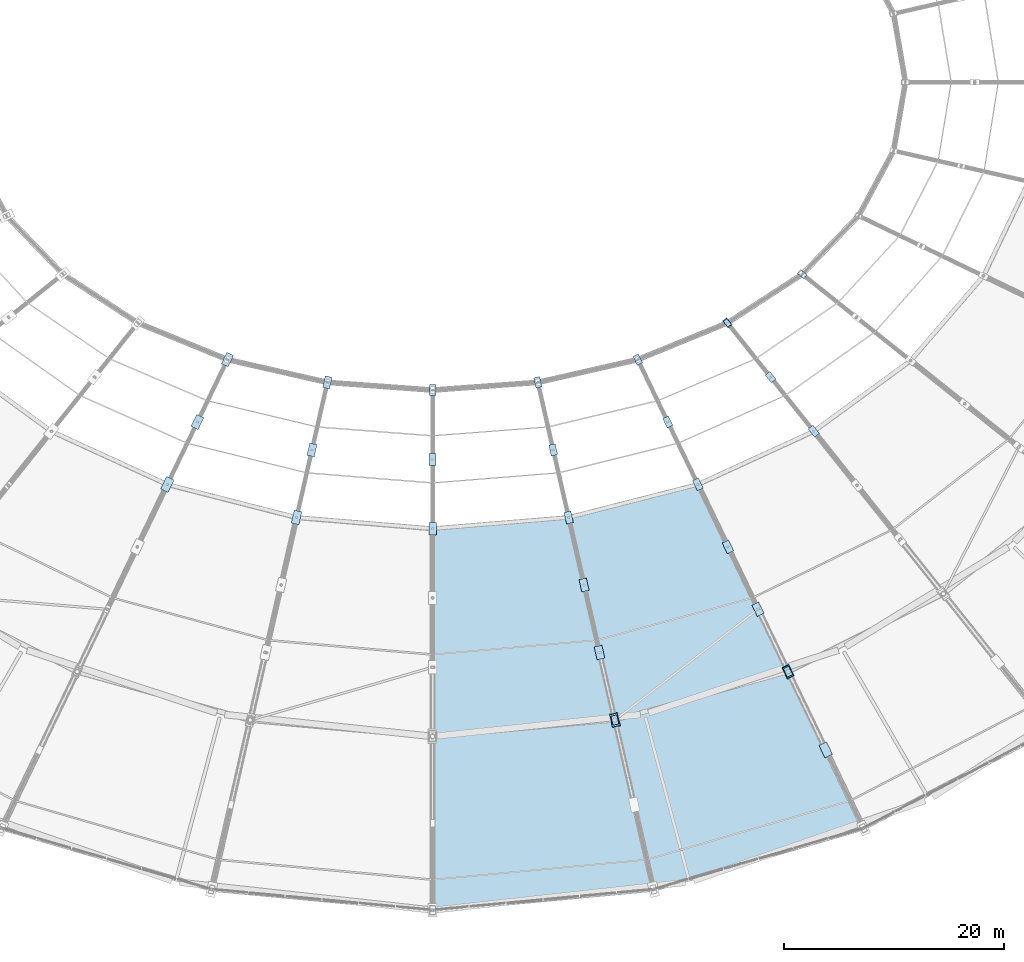
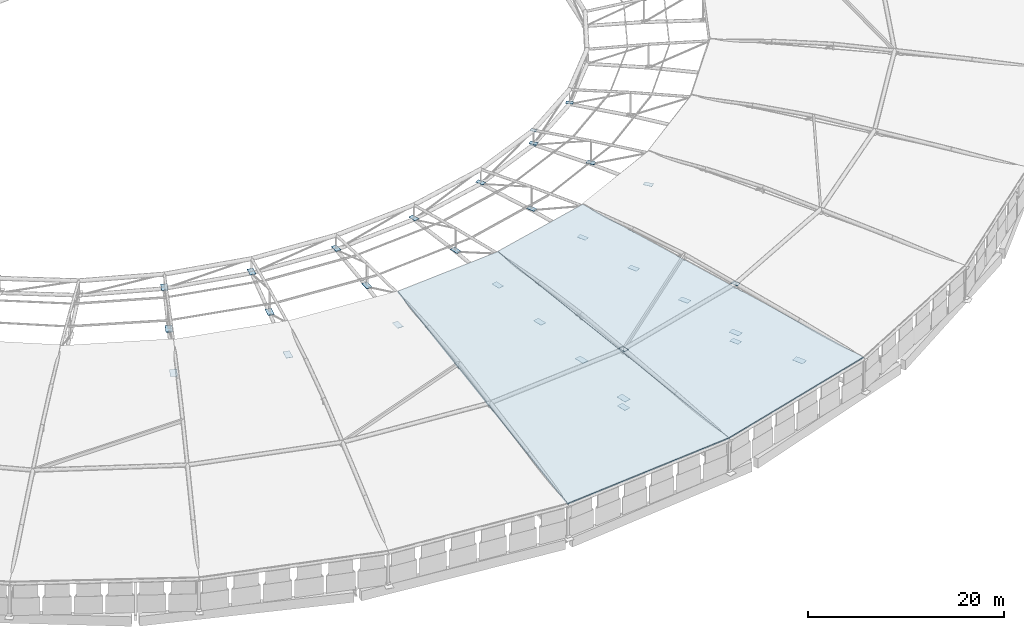
# One storey, part 91 of 108: 32 plates, 2 slabs.
"""IFC4 building model written with IfcOpenShell, lengths in metres."""

from ifc_helpers import new_model, si_unit, direction, frame, origin, origin_2d, place, context, subcontext, project, spatial, polyline, rectangle, outline, extrude, material, layer, layer_set, type_object, element, save


model = new_model("IFC4")

# Units and contexts
model_context = context("Model", 3, precision=1e-05, world=origin(), true_north=direction((0.0, 1.0)))
body_context = subcontext(model_context, "Body", "Model", "MODEL_VIEW")
ifc_project = project(units=[si_unit("LENGTHUNIT", "METRE"), si_unit("AREAUNIT", "SQUARE_METRE"), si_unit("VOLUMEUNIT", "CUBIC_METRE"), si_unit("PLANEANGLEUNIT", "RADIAN"), si_unit("MASSUNIT", "GRAM", prefix="KILO")], contexts=[model_context])

# Site, building, storey
site_placement = place(None, origin())
site = spatial("IfcSite", under=ifc_project, at=site_placement, CompositionType="ELEMENT")
building_placement = place(site_placement, origin())
building = spatial("IfcBuilding", under=site, at=building_placement, Name="Zevraka Park Crest Stadium", CompositionType="ELEMENT")
storey_placement = place(building_placement, frame((0.0, 0.0, 29.39990234375)))
storey = spatial("IfcBuildingStorey", under=building, at=storey_placement, Name="RF", CompositionType="ELEMENT", Elevation=29.39990234375)

# Plates
ifc_material_1 = material(Name="Steel S355", Category="steel")
ifc_layer_1 = layer(ifc_material_1, 0.031982421875)
ifc_layer_set_1 = layer_set([ifc_layer_1], Name="Steel S355")
plate_type_1 = type_object("IfcPlateType", Name="BP03", PredefinedType="SHEET", material=ifc_layer_set_1)
plate_1_placement = place(storey_placement, frame((128.577880859375, 33.991943359375, -0.02978515625), z_axis=(0.0, 0.0, 1.0), x_axis=(-0.222569549971, 0.974916814618, 0.0)))
element("IfcPlate", 1, at=plate_1_placement, inside=storey, type_object=plate_type_1, Name="TN2 Roof Truss Heel Base Plate BP03 T23", PredefinedType="SHEET", context=body_context, shape_type="SweptSolid", body=[
    extrude(rectangle(XDim=1.14990234375, YDim=0.719970703125, at=origin_2d()), origin(), (0.0, 0.0, 1.0), 0.031982421875),
])
ifc_material_2 = material(Name="Steel S355", Category="steel")
ifc_layer_2 = layer(ifc_material_2, 0.030029296875)
ifc_layer_set_2 = layer_set([ifc_layer_2], Name="Steel S355")
plate_type_2 = type_object("IfcPlateType", Name="BP04", PredefinedType="SHEET", material=ifc_layer_set_2)
plate_2_placement = place(storey_placement, frame((144.323974609375, 38.39208984375, -0.02783203125), z_axis=(0.0, 0.0, 1.0), x_axis=(-0.43381634559, 0.90100131981, 0.0)))
element("IfcPlate", 2, at=plate_2_placement, inside=storey, type_object=plate_type_2, Name="TN2 Roof Truss Heel Base Plate BP04 T24", PredefinedType="SHEET", context=body_context, shape_type="SweptSolid", body=[
    extrude(rectangle(XDim=1.050048828125, YDim=0.659912109375, at=origin_2d()), origin(), (0.0, 0.0, 1.0), 0.030029296875),
])
ifc_material_3 = material(Name="Steel S355", Category="steel")
ifc_layer_3 = layer(ifc_material_3, 0.02490234375)
ifc_layer_set_3 = layer_set([ifc_layer_3], Name="Steel S355")
plate_type_3 = type_object("IfcPlateType", Name="EC01", PredefinedType="SHEET", material=ifc_layer_set_3)
for number, where, z_axis, x_axis, name in (
    (3, (128.577880859375, 33.991943359375, 7.1982421875), (0.0, 0.0, 1.0), (-0.222569549971, 0.974916814618, 0.0), "Hollow Strut Top Closure Cap Plate EC01 T23-2"),
    (4, (144.323974609375, 38.39208984375, 7.1982421875), (0.0, 0.0, 1.0), (-0.43381634559, 0.90100131981, 0.0), "Hollow Strut Top Closure Cap Plate EC01 T24-2"),
):
    element("IfcPlate", number, at=place(storey_placement, frame(where, z_axis=z_axis, x_axis=x_axis)), inside=storey, type_object=plate_type_3, Name=name, PredefinedType="SHEET", context=body_context, shape_type="SweptSolid", body=[
        extrude(rectangle(XDim=0.840087890625, YDim=0.5400390625, at=origin_2d()), origin(), (0.0, 0.0, 1.0), 0.02490234375),
    ])
ifc_material_4 = material(Name="Steel S355", Category="steel")
ifc_layer_4 = layer(ifc_material_4, 0.02001953125)
ifc_layer_set_4 = layer_set([ifc_layer_4], Name="Steel S355")
plate_type_4 = type_object("IfcPlateType", Name="EC04", PredefinedType="SHEET", material=ifc_layer_set_4)
for number, where, z_axis, x_axis, name in (
    (5, (138.81005859375, 70.10888671875, 7.190185546875), (0.0, 0.0, 1.0), (-0.623470308046, 0.781847027868, 0.0), "TN5 Hollow Chord End Cap Plate EC04 T25-TIP-B"),
    (6, (138.81005859375, 70.10888671875, 8.989990234375), (0.0, 0.0, 1.0), (-0.623470308046, 0.781847027868, 0.0), "TN5 Hollow Chord End Cap Plate EC04 T25-TIP-T"),
):
    element("IfcPlate", number, at=place(storey_placement, frame(where, z_axis=z_axis, x_axis=x_axis)), inside=storey, type_object=plate_type_4, Name=name, PredefinedType="SHEET", context=body_context, shape_type="SweptSolid", body=[
        extrude(rectangle(XDim=0.659912109375, YDim=0.419921875, at=origin_2d()), origin(), (0.0, 0.0, 1.0), 0.02001953125),
    ])
ifc_material_5 = material(Name="Steel S355", Category="steel")
ifc_layer_5 = layer(ifc_material_5, 0.031982421875)
ifc_layer_set_5 = layer_set([ifc_layer_5], Name="Steel S355")
plate_type_5 = type_object("IfcPlateType", Name="GP01", PredefinedType="USERDEFINED", material=ifc_layer_set_5)
for number, where, z_axis, x_axis, name in (
    (7, (90.610107421875, 61.096923828125, 6.56396484375), (0.0, 0.0, 1.0), (0.43381634559, 0.90100131981, 0.0), "TN6 Truss Node Gusset Plate GP01 T20-6"),
    (8, (99.6279296875, 52.41796875, 5.4638671875), (0.0, 0.0, 1.0), (0.222569549971, 0.974916814618, 0.0), "TN5 Truss Node Gusset Plate GP01 T21-5"),
    (9, (127.176025390625, 40.134033203125, 2.6142578125), (0.0, 0.0, 1.0), (-0.222569549971, 0.974916814618, 0.0), "TN3 Truss Node Gusset Plate GP01 T23-3"),
    (10, (144.323974609375, 38.39208984375, 1.06396484375), (0.0, 0.0, 1.0), (-0.43381634559, 0.90100131981, 0.0), "TN2 Truss Node Gusset Plate GP01 T24-2"),
):
    element("IfcPlate", number, at=place(storey_placement, frame(where, z_axis=z_axis, x_axis=x_axis)), inside=storey, type_object=plate_type_5, Name=name, ObjectType="GUSSET PLATE", PredefinedType="USERDEFINED", context=body_context, shape_type="SweptSolid", body=[
        extrude(rectangle(XDim=1.199951171875, YDim=0.719970703125, at=origin_2d()), origin(), (0.0, 0.0, 1.0), 0.031982421875),
    ])
ifc_material_6 = material(Name="Steel S355", Category="steel")
ifc_layer_6 = layer(ifc_material_6, 0.030029296875)
ifc_layer_set_6 = layer_set([ifc_layer_6], Name="Steel S355")
plate_type_6 = type_object("IfcPlateType", Name="GP02", PredefinedType="USERDEFINED", material=ifc_layer_set_6)
for number, where, z_axis, x_axis, name in (
    (11, (93.343017578125, 66.77294921875, 7.365234375), (0.0, 0.0, 1.0), (0.43381634559, 0.90100131981, 0.0), "TN6 Truss Node Gusset Plate GP02 T20-7"),
    (12, (101.030029296875, 58.56005859375, 6.56494140625), (0.0, 0.0, 1.0), (0.222569549971, 0.974916814618, 0.0), "TN6 Truss Node Gusset Plate GP02 T21-6"),
    (13, (112.0, 51.39990234375, 5.46484375), (0.0, 0.0, 1.0), (0.0, 1.0, 0.0), "TN5 Truss Node Gusset Plate GP02 T22-5"),
    (14, (125.77392578125, 46.27587890625, 4.115234375), (0.0, 0.0, 1.0), (-0.222569549971, 0.974916814618, 0.0), "TN4 Truss Node Gusset Plate GP02 T23-4"),
    (15, (141.591064453125, 44.068115234375, 2.615234375), (0.0, 0.0, 1.0), (-0.43381634559, 0.90100131981, 0.0), "TN3 Truss Node Gusset Plate GP02 T24-3"),
):
    element("IfcPlate", number, at=place(storey_placement, frame(where, z_axis=z_axis, x_axis=x_axis)), inside=storey, type_object=plate_type_6, Name=name, ObjectType="GUSSET PLATE", PredefinedType="USERDEFINED", context=body_context, shape_type="SweptSolid", body=[
        extrude(rectangle(XDim=1.139892578125, YDim=0.679931640625, at=origin_2d()), origin(), (0.0, 0.0, 1.0), 0.030029296875),
    ])
ifc_material_7 = material(Name="Steel S355", Category="steel")
ifc_layer_7 = layer(ifc_material_7, 0.028076171875)
ifc_layer_set_7 = layer_set([ifc_layer_7], Name="Steel S355")
plate_type_7 = type_object("IfcPlateType", Name="GP03", PredefinedType="USERDEFINED", material=ifc_layer_set_7)
for number, where, z_axis, x_axis, name in (
    (16, (102.431884765625, 64.701904296875, 7.3662109375), (0.0, 0.0, 1.0), (0.222569549971, 0.974916814618, 0.0), "TN6 Truss Node Gusset Plate GP03 T21-7"),
    (17, (112.0, 57.699951171875, 6.56591796875), (0.0, 0.0, 1.0), (0.0, 1.0, 0.0), "TN6 Truss Node Gusset Plate GP03 T22-6"),
    (18, (124.3720703125, 52.41796875, 5.4658203125), (0.0, 0.0, 1.0), (-0.222569549971, 0.974916814618, 0.0), "TN5 Truss Node Gusset Plate GP03 T23-5"),
    (19, (138.85693359375, 49.7451171875, 4.1162109375), (0.0, 0.0, 1.0), (-0.43381634559, 0.90100131981, 0.0), "TN4 Truss Node Gusset Plate GP03 T24-4"),
):
    element("IfcPlate", number, at=place(storey_placement, frame(where, z_axis=z_axis, x_axis=x_axis)), inside=storey, type_object=plate_type_7, Name=name, ObjectType="GUSSET PLATE", PredefinedType="USERDEFINED", context=body_context, shape_type="SweptSolid", body=[
        extrude(rectangle(XDim=1.080078125, YDim=0.639892578125, at=origin_2d()), origin(), (0.0, 0.0, 1.0), 0.028076171875),
    ])
ifc_material_8 = material(Name="Steel S355", Category="steel")
ifc_layer_8 = layer(ifc_material_8, 0.028076171875)
ifc_layer_set_8 = layer_set([ifc_layer_8], Name="Steel S355")
plate_type_8 = type_object("IfcPlateType", Name="GP04", PredefinedType="USERDEFINED", material=ifc_layer_set_8)
for number, where, z_axis, x_axis, name in (
    (20, (112.0, 64.0, 7.3662109375), (0.0, 0.0, 1.0), (0.0, 1.0, 0.0), "TN6 Truss Node Gusset Plate GP04 T22-7"),
    (21, (122.969970703125, 58.56005859375, 6.56591796875), (0.0, 0.0, 1.0), (-0.222569549971, 0.974916814618, 0.0), "TN6 Truss Node Gusset Plate GP04 T23-6"),
    (22, (136.1240234375, 55.4208984375, 5.4658203125), (0.0, 0.0, 1.0), (-0.43381634559, 0.90100131981, 0.0), "TN5 Truss Node Gusset Plate GP04 T24-5"),
):
    element("IfcPlate", number, at=place(storey_placement, frame(where, z_axis=z_axis, x_axis=x_axis)), inside=storey, type_object=plate_type_8, Name=name, ObjectType="GUSSET PLATE", PredefinedType="USERDEFINED", context=body_context, shape_type="SweptSolid", body=[
        extrude(rectangle(XDim=1.02001953125, YDim=0.60009765625, at=origin_2d()), origin(), (0.0, 0.0, 1.0), 0.028076171875),
    ])
ifc_material_9 = material(Name="Steel S355", Category="steel")
ifc_layer_9 = layer(ifc_material_9, 0.02490234375)
ifc_layer_set_9 = layer_set([ifc_layer_9], Name="Steel S355")
plate_type_9 = type_object("IfcPlateType", Name="GP05", PredefinedType="USERDEFINED", material=ifc_layer_set_9)
for number, where, z_axis, x_axis, name in (
    (23, (121.568115234375, 64.701904296875, 7.36767578125), (0.0, 0.0, 1.0), (-0.222569549971, 0.974916814618, 0.0), "TN6 Truss Node Gusset Plate GP05 T23-7"),
    (24, (133.389892578125, 61.096923828125, 6.567626953125), (0.0, 0.0, 1.0), (-0.43381634559, 0.90100131981, 0.0), "TN6 Truss Node Gusset Plate GP05 T24-6"),
    (25, (146.666015625, 60.258056640625, 5.467529296875), (0.0, 0.0, 1.0), (-0.623470308046, 0.781847027868, 0.0), "TN5 Truss Node Gusset Plate GP05 T25-5"),
):
    element("IfcPlate", number, at=place(storey_placement, frame(where, z_axis=z_axis, x_axis=x_axis)), inside=storey, type_object=plate_type_9, Name=name, ObjectType="GUSSET PLATE", PredefinedType="USERDEFINED", context=body_context, shape_type="SweptSolid", body=[
        extrude(rectangle(XDim=0.9599609375, YDim=0.56005859375, at=origin_2d()), origin(), (0.0, 0.0, 1.0), 0.02490234375),
    ])
ifc_material_10 = material(Name="Steel S355", Category="steel")
ifc_layer_10 = layer(ifc_material_10, 0.02490234375)
ifc_layer_set_10 = layer_set([ifc_layer_10], Name="Steel S355")
plate_type_10 = type_object("IfcPlateType", Name="GP06", PredefinedType="USERDEFINED", material=ifc_layer_set_10)
for number, where, z_axis, x_axis, name in (
    (26, (130.656982421875, 66.77294921875, 7.36767578125), (0.0, 0.0, 1.0), (-0.43381634559, 0.90100131981, 0.0), "TN6 Truss Node Gusset Plate GP06 T24-7"),
    (27, (142.738037109375, 65.18310546875, 6.567626953125), (0.0, 0.0, 1.0), (-0.623470308046, 0.781847027868, 0.0), "TN6 Truss Node Gusset Plate GP06 T25-6"),
):
    element("IfcPlate", number, at=place(storey_placement, frame(where, z_axis=z_axis, x_axis=x_axis)), inside=storey, type_object=plate_type_10, Name=name, ObjectType="GUSSET PLATE", PredefinedType="USERDEFINED", context=body_context, shape_type="SweptSolid", body=[
        extrude(rectangle(XDim=0.89990234375, YDim=0.5400390625, at=origin_2d()), origin(), (0.0, 0.0, 1.0), 0.02490234375),
    ])
ifc_material_11 = material(Name="Steel S355", Category="steel")
ifc_layer_11 = layer(ifc_material_11, 0.02392578125)
ifc_layer_set_11 = layer_set([ifc_layer_11], Name="Steel S355")
plate_type_11 = type_object("IfcPlateType", Name="GP07", PredefinedType="USERDEFINED", material=ifc_layer_set_11)
plate_3_placement = place(storey_placement, frame((138.81005859375, 70.10888671875, 7.3681640625), z_axis=(0.0, 0.0, 1.0), x_axis=(-0.623470308046, 0.781847027868, 0.0)))
element("IfcPlate", 28, at=plate_3_placement, inside=storey, type_object=plate_type_11, Name="TN6 Truss Node Gusset Plate GP07 T25-7", ObjectType="GUSSET PLATE", PredefinedType="USERDEFINED", context=body_context, shape_type="SweptSolid", body=[
    extrude(rectangle(XDim=0.840087890625, YDim=0.5, at=origin_2d()), origin(), (0.0, 0.0, 1.0), 0.02392578125),
])
ifc_material_12 = material(Name="Steel S355", Category="steel")
ifc_layer_12 = layer(ifc_material_12, 0.02197265625)
ifc_layer_set_12 = layer_set([ifc_layer_12], Name="Steel S355")
plate_type_12 = type_object("IfcPlateType", Name="GP08", PredefinedType="USERDEFINED", material=ifc_layer_set_12)
plate_4_placement = place(storey_placement, frame((145.618896484375, 74.5419921875, 7.369140625), z_axis=(0.0, 0.0, 1.0), x_axis=(-0.781847027868, 0.623470308046, 0.0)))
element("IfcPlate", 29, at=plate_4_placement, inside=storey, type_object=plate_type_12, Name="TN6 Truss Node Gusset Plate GP08 T26-7", ObjectType="GUSSET PLATE", PredefinedType="USERDEFINED", context=body_context, shape_type="SweptSolid", body=[
    extrude(rectangle(XDim=0.780029296875, YDim=0.47998046875, at=origin_2d()), origin(), (0.0, 0.0, 1.0), 0.02197265625),
])
ifc_material_13 = material(Name="Steel S355", Category="steel")
ifc_layer_13 = layer(ifc_material_13, 0.031982421875)
ifc_layer_set_13 = layer_set([ifc_layer_13], Name="Steel S355")
plate_type_13 = type_object("IfcPlateType", Name="GP12", PredefinedType="USERDEFINED", material=ifc_layer_set_13)
for number, where, z_axis, x_axis, name in (
    (30, (87.8759765625, 55.4208984375, 5.4638671875), (0.0, 0.0, 1.0), (0.43381634559, 0.90100131981, 0.0), "TN5 Truss Node Gusset Plate GP12 T20-5"),
    (31, (128.577880859375, 33.991943359375, 1.06396484375), (0.0, 0.0, 1.0), (-0.222569549971, 0.974916814618, 0.0), "TN2 Truss Node Gusset Plate GP12 T23-2"),
    (32, (147.751953125, 31.27490234375, 0.7138671875), (0.0, 0.0, 1.0), (-0.43381634559, 0.90100131981, 0.0), "TN1 Truss Node Gusset Plate GP12 T24-1"),
):
    element("IfcPlate", number, at=place(storey_placement, frame(where, z_axis=z_axis, x_axis=x_axis)), inside=storey, type_object=plate_type_13, Name=name, ObjectType="GUSSET PLATE", PredefinedType="USERDEFINED", context=body_context, shape_type="SweptSolid", body=[
        extrude(rectangle(XDim=1.260009765625, YDim=0.760009765625, at=origin_2d()), origin(), (0.0, 0.0, 1.0), 0.031982421875),
    ])

# Slabs
ifc_material_14 = material(Name="Concrete C35/45", Category="concrete")
ifc_layer_14 = layer(ifc_material_14, 0.179931640625)
ifc_layer_set_14 = layer_set([ifc_layer_14], Name="Concrete C35/45")
slab_type = type_object("IfcSlabType", Name="RS01", PredefinedType="ROOF", material=ifc_layer_set_14)
slab_1_placement = place(storey_placement, frame((112.0, 16.699951171875, 4.239990234375), z_axis=(0.014474152486, -0.154070025382, 0.987953908939), x_axis=(0.995615222216, 0.093543194774, 1.534332e-06)))
element("IfcSlab", 33, at=slab_1_placement, inside=storey, type_object=slab_type, Name="Canopy Arched Roof Deck Slab RS01 OUTER-22", PredefinedType="ROOF", context=body_context, shape_type="SweptSolid", body=[
    extrude(outline(polyline([(0.0, 0.0), (20.18249032951968, 0.0), (15.659007277099057, 34.82356688290144), (3.245952593971615, 34.969034925431224), (0.0, 0.0)])), origin(), (0.0, 0.0, -1.0), 0.179931640625),
])
slab_2_placement = place(storey_placement, frame((132.093994140625, 18.587890625, 4.239990234375), z_axis=(0.043398259759, -0.148725371122, 0.987925784173), x_axis=(0.959968018352, 0.280109628072, -1.551768e-06)))
element("IfcSlab", 34, at=slab_2_placement, inside=storey, type_object=slab_type, Name="Canopy Arched Roof Deck Slab RS01 OUTER-23", PredefinedType="ROOF", context=body_context, shape_type="SweptSolid", body=[
    extrude(outline(polyline([(0.0, 0.0), (19.881845832189512, -8.881784197001252e-16), (14.185971027373741, 34.6480070270648), (2.063322256670496, 35.062130843250785), (0.0, 0.0)])), origin(), (0.0, 0.0, -1.0), 0.179931640625),
])

save(model, "model.ifc")
